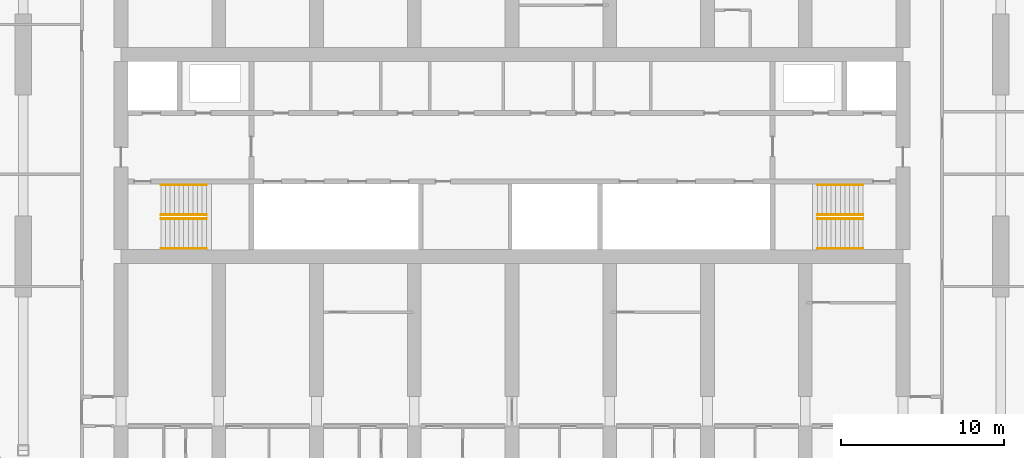
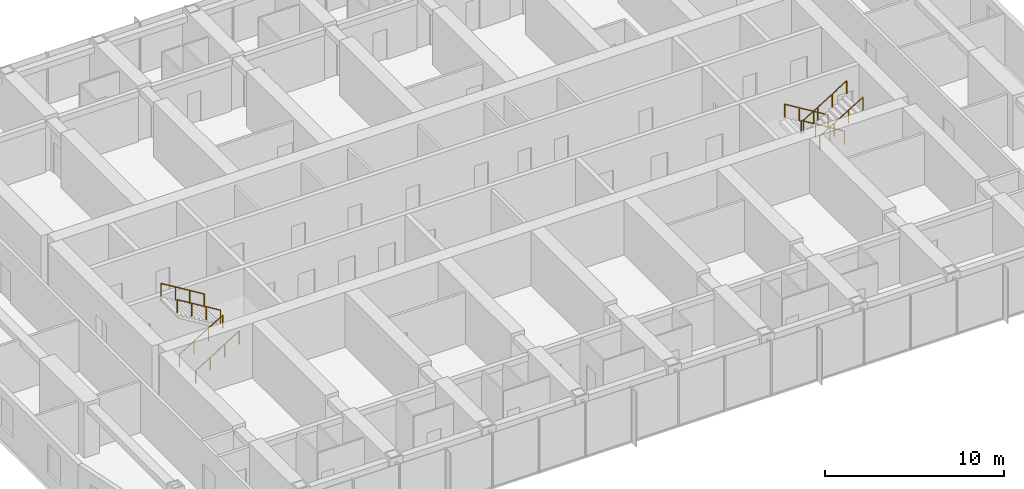
# One storey, part 22 of 22: 8 railings.
"""IFC4 building model written with IfcOpenShell, lengths in metres."""

from ifc_helpers import new_model, si_unit, direction, frame, origin, origin_2d, place, context, subcontext, project, spatial, circle, extrude, material, type_object, element, save


model = new_model("IFC4")

# Units and contexts
model_context = context("Model", 3, precision=1e-05, world=origin(), true_north=direction((0.0, 1.0)))
body_context = subcontext(model_context, "Body", "Model", "MODEL_VIEW")
ifc_project = project(units=[si_unit("LENGTHUNIT", "METRE"), si_unit("AREAUNIT", "SQUARE_METRE"), si_unit("VOLUMEUNIT", "CUBIC_METRE"), si_unit("PLANEANGLEUNIT", "RADIAN"), si_unit("MASSUNIT", "GRAM", prefix="KILO")], contexts=[model_context])

# Site, building, storey
site_placement = place(None, origin())
site = spatial("IfcSite", under=ifc_project, at=site_placement, CompositionType="ELEMENT")
building_placement = place(site_placement, origin())
building = spatial("IfcBuilding", under=site, at=building_placement, Name="Orbita Commons", CompositionType="ELEMENT")
storey_placement = place(building_placement, frame((0.0, 0.0, 156.10009765625)))
storey = spatial("IfcBuildingStorey", under=building, at=storey_placement, Name="L38", CompositionType="ELEMENT", Elevation=156.10009765625)

# Railings
ifc_material = material(Name="Steel tube, painted", Category="steel")
railing_type = type_object("IfcRailingType", Name="Stair handrail steel tube 900", PredefinedType="HANDRAIL", material=ifc_material)
for number, where, name in (
    (1, (20.449951171875, 28.114990234375, 0.17041015625), "Stair S1 handrail L38 flight 1"),
    (2, (20.449951171875, 26.284912109375, 0.17041015625), "Stair S1 handrail L38 flight 1"),
):
    element("IfcRailing", number, at=place(storey_placement, frame(where)), inside=storey, type_object=railing_type, Name=name, PredefinedType="HANDRAIL", context=body_context, shape_type="SweptSolid", body=[
        extrude(circle(Radius=0.02099609375, at=origin_2d()), frame((0.0, 0.0, 0.87890625), z_axis=(0.854169791009, 0.0, 0.51999420009), x_axis=(0.0, 1.0, 0.0)), (0.0, 0.0, 1.0), 3.278076171875),
        extrude(circle(Radius=0.02001953125, at=origin_2d()), origin(), (0.0, 0.0, 1.0), 0.85791015625),
        extrude(circle(Radius=0.02001953125, at=origin_2d()), frame((0.933349609375, 0.0, 0.568115234375)), (0.0, 0.0, 1.0), 0.85791015625),
        extrude(circle(Radius=0.02001953125, at=origin_2d()), frame((1.86669921875, 0.0, 1.136474609375)), (0.0, 0.0, 1.0), 0.85791015625),
        extrude(circle(Radius=0.02001953125, at=origin_2d()), frame((2.800048828125, 0.0, 1.70458984375)), (0.0, 0.0, 1.0), 0.85791015625),
    ])
for number, where, name in (
    (3, (23.25, 28.360107421875, 2.04541015625), "Stair S1 handrail L38 flight 2"),
    (4, (23.25, 30.18994140625, 2.04541015625), "Stair S1 handrail L38 flight 2"),
    (5, (63.550048828125, 28.360107421875, 0.17041015625), "Stair S2 handrail L38 flight 1"),
    (6, (63.550048828125, 30.18994140625, 0.17041015625), "Stair S2 handrail L38 flight 1"),
):
    element("IfcRailing", number, at=place(storey_placement, frame(where)), inside=storey, type_object=railing_type, Name=name, PredefinedType="HANDRAIL", context=body_context, shape_type="SweptSolid", body=[
        extrude(circle(Radius=0.02099609375, at=origin_2d()), frame((0.0, 0.0, 0.87890625), z_axis=(-0.854169791009, 0.0, 0.51999420009), x_axis=(0.0, -1.0, 0.0)), (0.0, 0.0, 1.0), 3.278076171875),
        extrude(circle(Radius=0.02001953125, at=origin_2d()), origin(), (0.0, 0.0, 1.0), 0.85791015625),
        extrude(circle(Radius=0.02001953125, at=origin_2d()), frame((-0.933349609375, 0.0, 0.568115234375)), (0.0, 0.0, 1.0), 0.85791015625),
        extrude(circle(Radius=0.02001953125, at=origin_2d()), frame((-1.86669921875, 0.0, 1.136474609375)), (0.0, 0.0, 1.0), 0.85791015625),
        extrude(circle(Radius=0.02001953125, at=origin_2d()), frame((-2.800048828125, 0.0, 1.70458984375)), (0.0, 0.0, 1.0), 0.85791015625),
    ])
for number, where, name in (
    (7, (60.75, 28.114990234375, 2.04541015625), "Stair S2 handrail L38 flight 2"),
    (8, (60.75, 26.284912109375, 2.04541015625), "Stair S2 handrail L38 flight 2"),
):
    element("IfcRailing", number, at=place(storey_placement, frame(where)), inside=storey, type_object=railing_type, Name=name, PredefinedType="HANDRAIL", context=body_context, shape_type="SweptSolid", body=[
        extrude(circle(Radius=0.02099609375, at=origin_2d()), frame((0.0, 0.0, 0.87890625), z_axis=(0.854169791009, 0.0, 0.51999420009), x_axis=(0.0, 1.0, 0.0)), (0.0, 0.0, 1.0), 3.278076171875),
        extrude(circle(Radius=0.02001953125, at=origin_2d()), origin(), (0.0, 0.0, 1.0), 0.85791015625),
        extrude(circle(Radius=0.02001953125, at=origin_2d()), frame((0.933349609375, 0.0, 0.568115234375)), (0.0, 0.0, 1.0), 0.85791015625),
        extrude(circle(Radius=0.02001953125, at=origin_2d()), frame((1.86669921875, 0.0, 1.136474609375)), (0.0, 0.0, 1.0), 0.85791015625),
        extrude(circle(Radius=0.02001953125, at=origin_2d()), frame((2.800048828125, 0.0, 1.70458984375)), (0.0, 0.0, 1.0), 0.85791015625),
    ])

save(model, "model.ifc")
